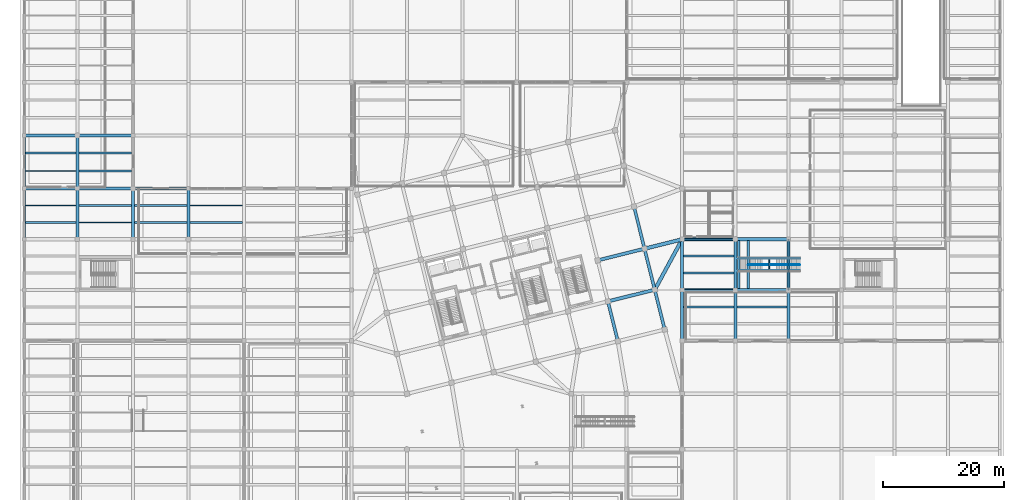
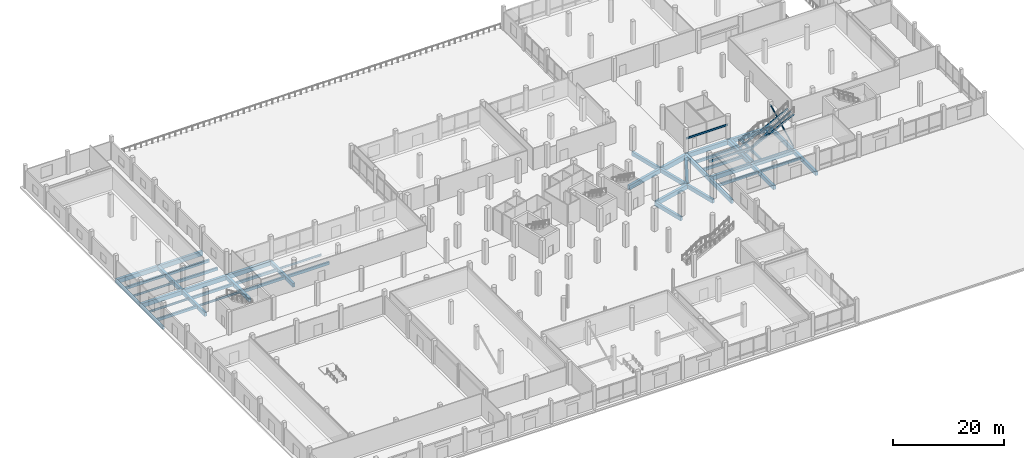
# One storey, part 22 of 73: 50 beams, 4 members.
"""IFC4 building model written with IfcOpenShell, lengths in metres."""

import ifcopenshell
import ifcopenshell.guid

model = None  # the IFC model being written
_history = None  # IfcOwnerHistory: only IFC2X3 demands one
_inside = {}  # id of a spatial element -> (the spatial element, [elements in it])
_under = {}  # id of a project, library or spatial element -> (it, [spatial elements below it])
_declared = {}  # id of a project -> (the project, [libraries it declares])
_typed = {}  # id of a type object -> (the type object, [elements of that type])
_made_of = {}  # id of a material, layer set ... -> (it, [elements and type objects made of it])


def new_model(schema):
    """Start an empty IFC model of exactly this schema.

    Asked for "IFC4X3", IfcOpenShell would pick the latest addendum, in which some entities
    have other attributes; the version numbers below select the first issue.
    IFC2X3 requires an IfcOwnerHistory on every rooted entity: one is made here for all.
    """
    global model, _history
    if schema == "IFC4X3":
        model = ifcopenshell.file(schema_version=(4, 3, 0, 0))
    else:
        model = ifcopenshell.file(schema=schema)
    _inside.clear()
    _under.clear()
    _declared.clear()
    _typed.clear()
    _made_of.clear()
    _history = None
    if model.schema == "IFC2X3":
        org = make("IfcOrganization", Name="unknown")
        user = make(
            "IfcPersonAndOrganization",
            ThePerson=make("IfcPerson", FamilyName="unknown"),
            TheOrganization=org,
        )
        app = make(
            "IfcApplication",
            ApplicationDeveloper=org,
            Version="unknown",
            ApplicationFullName="unknown",
            ApplicationIdentifier="unknown",
        )
        _history = make(
            "IfcOwnerHistory",
            OwningUser=user,
            OwningApplication=app,
            ChangeAction="ADDED",
            CreationDate=0,
        )
    return model


def make(cls, **values):
    """One entity of the class cls with the attributes given. An attribute that is None is left unset."""
    return model.create_entity(
        cls, **{name: value for name, value in values.items() if value is not None}
    )


def rooted(cls, **values):
    """An entity with a GlobalId (a new one), such as an element, a storey or a relation."""
    return make(cls, GlobalId=ifcopenshell.guid.new(), OwnerHistory=_history, **values)


def si_unit(unit_type, name, prefix=None):
    """IfcSIUnit, for example si_unit("LENGTHUNIT", "METRE", prefix="MILLI")."""
    return make("IfcSIUnit", UnitType=unit_type, Prefix=prefix, Name=name)


def assignment(units):
    """IfcUnitAssignment: the units of a project."""
    return None if units is None else make("IfcUnitAssignment", Units=units)


def point(xyz):
    """IfcCartesianPoint."""
    return None if xyz is None else make("IfcCartesianPoint", Coordinates=xyz)


def direction(xyz):
    """IfcDirection."""
    return None if xyz is None else make("IfcDirection", DirectionRatios=xyz)


def frame(location, z_axis=None, x_axis=None):
    """IfcAxis2Placement3D, a coordinate frame: its origin and axes. An axis left out is left unset."""
    return make(
        "IfcAxis2Placement3D",
        Location=point(location),
        Axis=direction(z_axis),
        RefDirection=direction(x_axis),
    )


def frame_2d(location, x_axis=None):
    """IfcAxis2Placement2D, a coordinate frame in the plane: its origin and x axis."""
    return make(
        "IfcAxis2Placement2D", Location=point(location), RefDirection=direction(x_axis)
    )


def origin():
    """The frame at (0, 0, 0) with its axes left unset."""
    return frame((0.0, 0.0, 0.0))


def origin_2d():
    """The frame at (0, 0) in the plane with its x axis left unset."""
    return frame_2d((0.0, 0.0))


def place(relative_to, where):
    """IfcLocalPlacement: puts the frame where relative to a parent placement (None: the world)."""
    return make(
        "IfcLocalPlacement", PlacementRelTo=relative_to, RelativePlacement=where
    )


def context(
    kind, dimensions, precision=None, world=None, true_north=None, identifier=None
):
    """IfcGeometricRepresentationContext, for example the 3D "Model" context."""
    return make(
        "IfcGeometricRepresentationContext",
        ContextIdentifier=identifier,
        ContextType=kind,
        CoordinateSpaceDimension=dimensions,
        Precision=precision,
        WorldCoordinateSystem=world,
        TrueNorth=true_north,
    )


def subcontext(parent, identifier, kind, view, scale=None):
    """IfcGeometricRepresentationSubContext, for example "Body" below "Model"."""
    return make(
        "IfcGeometricRepresentationSubContext",
        ContextIdentifier=identifier,
        ContextType=kind,
        ParentContext=parent,
        TargetScale=scale,
        TargetView=view,
    )


def project(units=None, contexts=None):
    """IfcProject with its units and contexts."""
    return rooted(
        "IfcProject",
        Name="project",
        RepresentationContexts=contexts,
        UnitsInContext=assignment(units),
    )


def spatial(cls, under=None, at=None, **own):
    """A site, building, storey or space (cls), placed at a placement, below another one or the project."""
    s = rooted(cls, ObjectPlacement=at, **own)
    if under is not None:
        _under.setdefault(under.id(), (under, []))[1].append(s)
    return s


def profile(cls, at=None, kind="AREA", **sizes):
    """A parametric profile (cls). Its sizes go by their IFC names, for example OverallWidth=200.0."""
    return make(cls, ProfileType=kind, Position=at, **sizes)


def rectangle(**sizes):
    """IfcRectangleProfileDef."""
    return profile("IfcRectangleProfileDef", **sizes)


def hollow_circle(**sizes):
    """IfcCircleHollowProfileDef."""
    return profile("IfcCircleHollowProfileDef", **sizes)


def i_section(**sizes):
    """IfcIShapeProfileDef."""
    return profile("IfcIShapeProfileDef", **sizes)


def extrude(swept, where, along, depth):
    """IfcExtrudedAreaSolid: the profile swept, set in the frame where, extruded along a direction by depth."""
    return make(
        "IfcExtrudedAreaSolid",
        SweptArea=swept,
        Position=where,
        ExtrudedDirection=direction(along),
        Depth=depth,
    )


def shape(context_of_items, identifier, shape_type, items):
    """IfcShapeRepresentation: the items that make up one representation, for example the "Body"."""
    return make(
        "IfcShapeRepresentation",
        ContextOfItems=context_of_items,
        RepresentationIdentifier=identifier,
        RepresentationType=shape_type,
        Items=items,
    )


def material(Name=None, Category=None):
    """IfcMaterial."""
    return make("IfcMaterial", Name=Name, Category=Category)


def material_profile(
    of_material, cross_section, Name=None, Category=None, Priority=None
):
    """IfcMaterialProfile: a cross section and its material."""
    return make(
        "IfcMaterialProfile",
        Name=Name,
        Material=of_material,
        Profile=cross_section,
        Priority=Priority,
        Category=Category,
    )


def profile_set(profiles, Name=None, composite=None):
    """IfcMaterialProfileSet."""
    return make(
        "IfcMaterialProfileSet",
        Name=Name,
        MaterialProfiles=profiles,
        CompositeProfile=composite,
    )


def made_of(thing, what):
    """Note that an element or type object is made of a material, layer set ...; save() writes the relation."""
    if what is not None:
        _made_of.setdefault(what.id(), (what, []))[1].append(thing)
    return thing


def type_object(cls, material=None, **own):
    """A type object (cls), such as IfcWallType, which elements share."""
    return made_of(rooted(cls, **own), material)


def element(
    cls,
    number,
    at=None,
    inside=None,
    cuts=None,
    type_object=None,
    material=None,
    context=None,
    identifier="Body",
    shape_type=None,
    held_by="IfcProductDefinitionShape",
    body=None,
    shapes=None,
    **own,
):
    """One element of the class cls, such as IfcWall. Its Tag is "e" and its number.

    at: its placement. inside: the storey or other place that contains it. cuts: it is an
    opening in that element (IfcRelVoidsElement). A single representation is given by context,
    identifier, shape_type and body (its items); several are given by shapes. held_by: the class
    of the entity that holds the representations. save() writes the other relations.
    """
    e = rooted(cls, Tag="e%d" % number, ObjectPlacement=at, **own)
    if body is not None:
        shapes = [shape(context, identifier, shape_type, body)]
    if shapes is not None:
        e.Representation = make(held_by, Representations=shapes)
    if inside is not None:
        _inside.setdefault(inside.id(), (inside, []))[1].append(e)
    if cuts is not None:
        rooted(
            "IfcRelVoidsElement", RelatingBuildingElement=cuts, RelatedOpeningElement=e
        )
    if type_object is not None:
        _typed.setdefault(type_object.id(), (type_object, []))[1].append(e)
    return made_of(e, material)


def aggregate(whole, parts):
    """IfcRelAggregates: a whole, such as a stair, and the parts it consists of."""
    return rooted("IfcRelAggregates", RelatingObject=whole, RelatedObjects=parts)


def save(model, path):
    """Write the relations noted so far, then the file.

    IfcRelAggregates (storeys below a building ...), IfcRelContainedInSpatialStructure (elements
    in a storey), IfcRelDefinesByType, IfcRelAssociatesMaterial and IfcRelDeclares: one each for
    every whole, place, type object, material and project.
    """
    for whole, parts in _under.values():
        aggregate(whole, parts)
    for where, things in _inside.values():
        rooted(
            "IfcRelContainedInSpatialStructure",
            RelatedElements=things,
            RelatingStructure=where,
        )
    for kind, things in _typed.values():
        rooted("IfcRelDefinesByType", RelatedObjects=things, RelatingType=kind)
    for what, things in _made_of.values():
        rooted("IfcRelAssociatesMaterial", RelatedObjects=things, RelatingMaterial=what)
    for by, libraries in _declared.values():
        rooted("IfcRelDeclares", RelatingContext=by, RelatedDefinitions=libraries)
    model.write(path)


model = new_model("IFC4")

# Units and contexts
model_context = context("Model", 3, precision=1e-05, world=origin(), true_north=direction((0.0, 1.0)))
body_context = subcontext(model_context, "Body", "Model", "MODEL_VIEW")
ifc_project = project(units=[si_unit("LENGTHUNIT", "METRE"), si_unit("AREAUNIT", "SQUARE_METRE"), si_unit("VOLUMEUNIT", "CUBIC_METRE"), si_unit("PLANEANGLEUNIT", "RADIAN"), si_unit("MASSUNIT", "GRAM", prefix="KILO")], contexts=[model_context])

# Site, building, storey
site_placement = place(None, origin())
site = spatial("IfcSite", under=ifc_project, at=site_placement, CompositionType="ELEMENT")
building_placement = place(site_placement, origin())
building = spatial("IfcBuilding", under=site, at=building_placement, Name="Meriwether Solvik Hall", CompositionType="ELEMENT")
storey_placement = place(building_placement, origin())
storey = spatial("IfcBuildingStorey", under=building, at=storey_placement, Name="L00", CompositionType="ELEMENT", Elevation=0.0)

# Beams
ifc_material_1 = material(Name="Glulam Douglas-Fir 24F-V8 GL28h", Category="wood")
ifc_material_profile_1 = material_profile(ifc_material_1, rectangle(XDim=0.221923828125, YDim=0.340087890625, at=origin_2d()), Name="GLB-222X340")
ifc_profile_set_1 = profile_set([ifc_material_profile_1], Name="Glulam Douglas-Fir 24F-V8 GL28h")
beam_type_1 = type_object("IfcBeamType", Name="BM-LND-GL-222X340", PredefinedType="BEAM", material=ifc_profile_set_1)
beam_1_placement = place(storey_placement, frame((128.6201171875, 61.5, 2.205078125), z_axis=(0.0, 1.0, 0.0), x_axis=(-1.0, 0.0, 0.0)))
element("IfcBeam", 1, at=beam_1_placement, inside=storey, type_object=beam_type_1, Name="Stair ST-LB2 Landing Cross-Bearer", PredefinedType="BEAM", context=body_context, shape_type="SweptSolid", body=[
    extrude(rectangle(XDim=0.221923828125, YDim=0.340087890625, at=origin_2d()), origin(), (0.0, 0.0, 1.0), 2.199951171875),
])
ifc_material_2 = material(Name="Concrete C40/50", Category="concrete")
ifc_material_profile_2 = material_profile(ifc_material_2, rectangle(XDim=0.39990234375, YDim=0.47998046875, at=origin_2d()), Name="RCB-400X480")
ifc_profile_set_2 = profile_set([ifc_material_profile_2], Name="Concrete C40/50")
beam_type_2 = type_object("IfcBeamType", Name="BM-LND-RC-400X480", PredefinedType="BEAM", material=ifc_profile_set_2)
beam_2_placement = place(storey_placement, frame((125.152099609375, 58.614990234375, -0.60009765625), z_axis=(0.0, 1.0, 0.0), x_axis=(-1.0, 0.0, 0.0)))
element("IfcBeam", 2, at=beam_2_placement, inside=storey, type_object=beam_type_2, Name="Stair ST-LB2 Spine Trimmer Beam", PredefinedType="BEAM", context=body_context, shape_type="SweptSolid", body=[
    extrude(rectangle(XDim=0.39990234375, YDim=0.47998046875, at=origin_2d()), origin(), (0.0, 0.0, 1.0), 7.969970703125),
])
ifc_material_3 = material(Name="Concrete C40/50", Category="concrete")
ifc_material_profile_3 = material_profile(ifc_material_3, rectangle(XDim=0.300048828125, YDim=0.449951171875, at=origin_2d()), Name="RCB-300X450")
ifc_profile_set_3 = profile_set([ifc_material_profile_3], Name="Concrete C40/50")
beam_type_3 = type_object("IfcBeamType", Name="BM-RC-300X450", PredefinedType="LINTEL", material=ifc_profile_set_3)
beam_3_placement = place(storey_placement, frame((114.199951171875, 58.39990234375, 2.925048828125), z_axis=(1.0, 0.0, 0.0), x_axis=(0.0, 1.0, 0.0)))
element("IfcBeam", 3, at=beam_3_placement, inside=storey, type_object=beam_type_3, Name="Galleria Portal Lintel G:13-14 (L00)", PredefinedType="LINTEL", context=body_context, shape_type="SweptSolid", body=[
    extrude(rectangle(XDim=0.300048828125, YDim=0.449951171875, at=origin_2d()), origin(), (0.0, 0.0, 1.0), 8.800048828125),
])
ifc_material_4 = material(Name="Concrete C40/50", Category="concrete")
ifc_material_profile_4 = material_profile(ifc_material_4, rectangle(XDim=0.35009765625, YDim=0.60009765625, at=origin_2d()), Name="RCB-350X600")
ifc_profile_set_4 = profile_set([ifc_material_profile_4], Name="Concrete C40/50")
beam_type_4 = type_object("IfcBeamType", Name="BM-RC-350X600", PredefinedType="JOIST", material=ifc_profile_set_4)
for number, where, z_axis, x_axis, name in (
    (4, (5.39501953125, 69.60009765625, -0.659912109375), (1.0, 0.0, 0.0), (0.0, 1.0, 0.0), "Secondary Floor Joist 1/H_J1 (L00)"),
    (5, (5.39501953125, 81.066650390625, -0.659912109375), (1.0, 0.0, 0.0), (0.0, 1.0, 0.0), "Secondary Floor Joist 1/I_J2 (L00)"),
):
    element("IfcBeam", number, at=place(storey_placement, frame(where, z_axis=z_axis, x_axis=x_axis)), inside=storey, type_object=beam_type_4, Name=name, PredefinedType="JOIST", context=body_context, shape_type="SweptSolid", body=[
        extrude(rectangle(XDim=0.35009765625, YDim=0.60009765625, at=origin_2d()), origin(), (0.0, 0.0, 1.0), 8.35986328125),
    ])
for number, where, z_axis, x_axis, name in (
    (6, (14.2451171875, 72.39990234375, -0.659912109375), (1.0, 0.0, 0.0), (0.0, 1.0, 0.0), "Secondary Floor Joist 2/H_J2 (L00)"),
    (7, (14.2451171875, 78.13330078125, -0.659912109375), (1.0, 0.0, 0.0), (0.0, 1.0, 0.0), "Secondary Floor Joist 2/I_J1 (L00)"),
    (8, (14.2451171875, 81.066650390625, -0.659912109375), (1.0, 0.0, 0.0), (0.0, 1.0, 0.0), "Secondary Floor Joist 2/I_J2 (L00)"),
    (9, (23.445068359375, 69.60009765625, -0.659912109375), (1.0, 0.0, 0.0), (0.0, 1.0, 0.0), "Secondary Floor Joist 3/H_J1 (L00)"),
    (10, (23.445068359375, 72.39990234375, -0.659912109375), (1.0, 0.0, 0.0), (0.0, 1.0, 0.0), "Secondary Floor Joist 3/H_J2 (L00)"),
    (11, (32.64501953125, 69.60009765625, -0.659912109375), (1.0, 0.0, 0.0), (0.0, 1.0, 0.0), "Secondary Floor Joist 4/H_J1 (L00)"),
):
    element("IfcBeam", number, at=place(storey_placement, frame(where, z_axis=z_axis, x_axis=x_axis)), inside=storey, type_object=beam_type_4, Name=name, PredefinedType="JOIST", context=body_context, shape_type="SweptSolid", body=[
        extrude(rectangle(XDim=0.35009765625, YDim=0.60009765625, at=origin_2d()), origin(), (0.0, 0.0, 1.0), 8.7099609375),
    ])
for number, where, z_axis, x_axis, name in (
    (12, (114.445068359375, 55.60009765625, -0.659912109375), (1.0, 0.0, 0.0), (0.0, 1.0, 0.0), "Secondary Floor Joist 13/F_J2 (L00)"),
    (13, (114.445068359375, 61.199951171875, -0.659912109375), (1.0, 0.0, 0.0), (0.0, 1.0, 0.0), "Secondary Floor Joist 13/G_J1 (L00)"),
    (14, (114.445068359375, 64.0, -0.659912109375), (1.0, 0.0, 0.0), (0.0, 1.0, 0.0), "Secondary Floor Joist 13/G_J2 (L00)"),
    (15, (123.2451171875, 55.60009765625, -0.659912109375), (1.0, 0.0, 0.0), (0.0, 1.0, 0.0), "Secondary Floor Joist 14/F_J2 (L00)"),
):
    element("IfcBeam", number, at=place(storey_placement, frame(where, z_axis=z_axis, x_axis=x_axis)), inside=storey, type_object=beam_type_4, Name=name, PredefinedType="JOIST", context=body_context, shape_type="SweptSolid", body=[
        extrude(rectangle(XDim=0.35009765625, YDim=0.60009765625, at=origin_2d()), origin(), (0.0, 0.0, 1.0), 8.309814453125),
    ])
ifc_material_5 = material(Name="Concrete C40/50", Category="concrete")
ifc_material_profile_5 = material_profile(ifc_material_5, rectangle(XDim=0.39990234375, YDim=0.64990234375, at=origin_2d()), Name="RCB-400X650")
ifc_profile_set_5 = profile_set([ifc_material_profile_5], Name="Concrete C40/50")
beam_type_5 = type_object("IfcBeamType", Name="BM-RC-400X650", PredefinedType="SPANDREL", material=ifc_profile_set_5)
beam_4_placement = place(storey_placement, frame((5.199951171875, 66.800048828125, -0.68505859375), z_axis=(0.0, 1.0, 0.0), x_axis=(-1.0, 0.0, 0.0)))
element("IfcBeam", 16, at=beam_4_placement, inside=storey, type_object=beam_type_5, Name="Podium Girder 1:H-I (L00)", PredefinedType="SPANDREL", context=body_context, shape_type="SweptSolid", body=[
    extrude(rectangle(XDim=0.39990234375, YDim=0.64990234375, at=origin_2d()), origin(), (0.0, 0.0, 1.0), 8.39990234375),
])
beam_5_placement = place(storey_placement, frame((5.199951171875, 75.199951171875, -0.68505859375), z_axis=(0.0, 1.0, 0.0), x_axis=(-1.0, 0.0, 0.0)))
element("IfcBeam", 17, at=beam_5_placement, inside=storey, type_object=beam_type_5, Name="Podium Girder 1:I-J (L00)", PredefinedType="SPANDREL", context=body_context, shape_type="SweptSolid", body=[
    extrude(rectangle(XDim=0.39990234375, YDim=0.64990234375, at=origin_2d()), origin(), (0.0, 0.0, 1.0), 8.800048828125),
])
ifc_material_6 = material(Name="Concrete C40/50", Category="concrete")
ifc_material_profile_6 = material_profile(ifc_material_6, rectangle(XDim=0.449951171875, YDim=0.699951171875, at=origin_2d()), Name="RCB-450X700")
ifc_profile_set_6 = profile_set([ifc_material_profile_6], Name="Concrete C40/50")
beam_type_6 = type_object("IfcBeamType", Name="BM-RC-450X700", PredefinedType="BEAM", material=ifc_profile_set_6)
beam_6_placement = place(storey_placement, frame((123.550048828125, 58.614990234375, -0.7099609375), z_axis=(0.0, 1.0, 0.0), x_axis=(-1.0, 0.0, 0.0)))
element("IfcBeam", 18, at=beam_6_placement, inside=storey, type_object=beam_type_6, Name="Stair ST-LB2 Bottom Trimmer Beam", PredefinedType="BEAM", context=body_context, shape_type="SweptSolid", body=[
    extrude(rectangle(XDim=0.449951171875, YDim=0.699951171875, at=origin_2d()), origin(), (0.0, 0.0, 1.0), 7.969970703125),
])
ifc_material_7 = material(Name="Concrete C40/50", Category="concrete")
ifc_material_profile_7 = material_profile(ifc_material_7, rectangle(XDim=0.5, YDim=0.85009765625, at=origin_2d()), Name="RCB-500X850")
ifc_profile_set_7 = profile_set([ifc_material_profile_7], Name="Concrete C40/50")
beam_type_7 = type_object("IfcBeamType", Name="BM-RC-500X850", PredefinedType="BEAM", material=ifc_profile_set_7)
beam_7_placement = place(storey_placement, frame((14.0, 66.800048828125, -0.784912109375), z_axis=(0.0, 1.0, 0.0), x_axis=(-1.0, 0.0, 0.0)))
element("IfcBeam", 19, at=beam_7_placement, inside=storey, type_object=beam_type_7, Name="Podium Girder 2:H-I (L00)", PredefinedType="BEAM", context=body_context, shape_type="SweptSolid", body=[
    extrude(rectangle(XDim=0.5, YDim=0.85009765625, at=origin_2d()), origin(), (0.0, 0.0, 1.0), 8.39990234375),
])
beam_8_placement = place(storey_placement, frame((14.0, 75.199951171875, -0.784912109375), z_axis=(0.0, 1.0, 0.0), x_axis=(-1.0, 0.0, 0.0)))
element("IfcBeam", 20, at=beam_8_placement, inside=storey, type_object=beam_type_7, Name="Podium Girder 2:I-J (L00)", PredefinedType="BEAM", context=body_context, shape_type="SweptSolid", body=[
    extrude(rectangle(XDim=0.5, YDim=0.85009765625, at=origin_2d()), origin(), (0.0, 0.0, 1.0), 8.800048828125),
])
for number, where, z_axis, x_axis, name in (
    (21, (23.199951171875, 66.800048828125, -0.784912109375), (0.0, 1.0, 0.0), (-1.0, 0.0, 0.0), "Podium Girder 3:H-I (L00)"),
    (22, (32.39990234375, 66.800048828125, -0.784912109375), (0.0, 1.0, 0.0), (-1.0, 0.0, 0.0), "Podium Girder 4:H-I (L00)"),
    (23, (114.199951171875, 50.0, -0.784912109375), (0.0, 1.0, 0.0), (-1.0, 0.0, 0.0), "Podium Girder 13:F-G (L00)"),
):
    element("IfcBeam", number, at=place(storey_placement, frame(where, z_axis=z_axis, x_axis=x_axis)), inside=storey, type_object=beam_type_7, Name=name, PredefinedType="BEAM", context=body_context, shape_type="SweptSolid", body=[
        extrude(rectangle(XDim=0.5, YDim=0.85009765625, at=origin_2d()), origin(), (0.0, 0.0, 1.0), 8.39990234375),
    ])
beam_9_placement = place(storey_placement, frame((114.199951171875, 58.39990234375, -0.784912109375), z_axis=(0.0, 1.0, 0.0), x_axis=(-1.0, 0.0, 0.0)))
element("IfcBeam", 24, at=beam_9_placement, inside=storey, type_object=beam_type_7, Name="Podium Girder 13:G-H (L00)", PredefinedType="BEAM", context=body_context, shape_type="SweptSolid", body=[
    extrude(rectangle(XDim=0.5, YDim=0.85009765625, at=origin_2d()), origin(), (0.0, 0.0, 1.0), 8.400146484375),
])
beam_10_placement = place(storey_placement, frame((123.0, 50.0, -0.784912109375), z_axis=(0.0, 1.0, 0.0), x_axis=(-1.0, 0.0, 0.0)))
element("IfcBeam", 25, at=beam_10_placement, inside=storey, type_object=beam_type_7, Name="Podium Girder 14:F-G (L00)", PredefinedType="BEAM", context=body_context, shape_type="SweptSolid", body=[
    extrude(rectangle(XDim=0.5, YDim=0.85009765625, at=origin_2d()), origin(), (0.0, 0.0, 1.0), 8.39990234375),
])
beam_11_placement = place(storey_placement, frame((123.0, 58.39990234375, -0.784912109375), z_axis=(0.0, 1.0, 0.0), x_axis=(-1.0, 0.0, 0.0)))
element("IfcBeam", 26, at=beam_11_placement, inside=storey, type_object=beam_type_7, Name="Podium Girder 14:G-H (L00)", PredefinedType="BEAM", context=body_context, shape_type="SweptSolid", body=[
    extrude(rectangle(XDim=0.5, YDim=0.85009765625, at=origin_2d()), origin(), (0.0, 0.0, 1.0), 8.400146484375),
])
beam_12_placement = place(storey_placement, frame((131.800048828125, 50.0, -0.784912109375), z_axis=(0.0, 1.0, 0.0), x_axis=(-1.0, 0.0, 0.0)))
element("IfcBeam", 27, at=beam_12_placement, inside=storey, type_object=beam_type_7, Name="Podium Girder 15:F-G (L00)", PredefinedType="BEAM", context=body_context, shape_type="SweptSolid", body=[
    extrude(rectangle(XDim=0.5, YDim=0.85009765625, at=origin_2d()), origin(), (0.0, 0.0, 1.0), 8.39990234375),
])
beam_13_placement = place(storey_placement, frame((131.800048828125, 58.39990234375, -0.784912109375), z_axis=(0.0, 1.0, 0.0), x_axis=(-1.0, 0.0, 0.0)))
element("IfcBeam", 28, at=beam_13_placement, inside=storey, type_object=beam_type_7, Name="Podium Girder 15:G-H (L00)", PredefinedType="BEAM", context=body_context, shape_type="SweptSolid", body=[
    extrude(rectangle(XDim=0.5, YDim=0.85009765625, at=origin_2d()), origin(), (0.0, 0.0, 1.0), 8.400146484375),
])
for number, where, z_axis, x_axis, name in (
    (29, (103.53076171875, 49.9091796875, -0.784912109375), (-0.2419526798, 0.970288050394, 0.0), (-0.970288050394, -0.2419526798, 0.0), "Tower Girder T6:TA-TB (L00)"),
    (30, (111.29296875, 51.844482421875, -0.784912109375), (-0.24191045034, 0.970298579828, 0.0), (-0.970298579828, -0.24191045034, 0.0), "Tower Girder T7:TA-TB (L00)"),
):
    element("IfcBeam", number, at=place(storey_placement, frame(where, z_axis=z_axis, x_axis=x_axis)), inside=storey, type_object=beam_type_7, Name=name, PredefinedType="BEAM", context=body_context, shape_type="SweptSolid", body=[
        extrude(rectangle(XDim=0.5, YDim=0.85009765625, at=origin_2d()), origin(), (0.0, 0.0, 1.0), 6.800048828125),
    ])
beam_14_placement = place(storey_placement, frame((109.64794921875, 58.442626953125, -0.784912109375), z_axis=(-0.241911879182, 0.970298223594, 0.0), x_axis=(-0.970298223594, -0.241911879182, 0.0)))
element("IfcBeam", 31, at=beam_14_placement, inside=storey, type_object=beam_type_7, Name="Tower Girder T7:TB-TC (L00)", PredefinedType="BEAM", context=body_context, shape_type="SweptSolid", body=[
    extrude(rectangle(XDim=0.5, YDim=0.85009765625, at=origin_2d()), origin(), (0.0, 0.0, 1.0), 7.0),
])
beam_15_placement = place(storey_placement, frame((107.95458984375, 65.234619140625, -0.784912109375), z_axis=(-0.241937193493, 0.970291911955, 0.0), x_axis=(-0.970291911955, -0.241937193493, 0.0)))
element("IfcBeam", 32, at=beam_15_placement, inside=storey, type_object=beam_type_7, Name="Tower Girder T7:TC-TD (L00)", PredefinedType="BEAM", context=body_context, shape_type="SweptSolid", body=[
    extrude(rectangle(XDim=0.5, YDim=0.85009765625, at=origin_2d()), origin(), (0.0, 0.0, 1.0), 7.199951171875),
])
ifc_material_8 = material(Name="Concrete C40/50", Category="concrete")
ifc_material_profile_8 = material_profile(ifc_material_8, rectangle(XDim=0.550048828125, YDim=0.949951171875, at=origin_2d()), Name="RCB-550X950")
ifc_profile_set_8 = profile_set([ifc_material_profile_8], Name="Concrete C40/50")
beam_type_8 = type_object("IfcBeamType", Name="BM-RC-550X950", PredefinedType="BEAM", material=ifc_profile_set_8)
for number, where, z_axis, x_axis, name in (
    (33, (114.199951171875, 58.39990234375, -0.8349609375), (1.0, 0.0, 0.0), (0.0, 1.0, 0.0), "Podium Girder G:13-14 (L00)"),
    (34, (123.0, 58.39990234375, -0.8349609375), (1.0, 0.0, 0.0), (0.0, 1.0, 0.0), "Podium Girder G:14-15 (L00)"),
    (35, (114.199951171875, 66.800048828125, -0.8349609375), (1.0, 0.0, 0.0), (0.0, 1.0, 0.0), "Podium Girder H:13-14 (L00)"),
    (36, (123.0, 66.800048828125, -0.8349609375), (1.0, 0.0, 0.0), (0.0, 1.0, 0.0), "Podium Girder H:14-15 (L00)"),
    (37, (5.199951171875, 75.199951171875, -0.8349609375), (1.0, 0.0, 0.0), (0.0, 1.0, 0.0), "Podium Girder I:1-2 (L00)"),
):
    element("IfcBeam", number, at=place(storey_placement, frame(where, z_axis=z_axis, x_axis=x_axis)), inside=storey, type_object=beam_type_8, Name=name, PredefinedType="BEAM", context=body_context, shape_type="SweptSolid", body=[
        extrude(rectangle(XDim=0.550048828125, YDim=0.949951171875, at=origin_2d()), origin(), (0.0, 0.0, 1.0), 8.800048828125),
    ])
for number, where, z_axis, x_axis, name in (
    (38, (14.0, 75.199951171875, -0.8349609375), (1.0, 0.0, 0.0), (0.0, 1.0, 0.0), "Podium Girder I:2-3 (L00)"),
    (39, (23.199951171875, 75.199951171875, -0.8349609375), (1.0, 0.0, 0.0), (0.0, 1.0, 0.0), "Podium Girder I:3-4 (L00)"),
):
    element("IfcBeam", number, at=place(storey_placement, frame(where, z_axis=z_axis, x_axis=x_axis)), inside=storey, type_object=beam_type_8, Name=name, PredefinedType="BEAM", context=body_context, shape_type="SweptSolid", body=[
        extrude(rectangle(XDim=0.550048828125, YDim=0.949951171875, at=origin_2d()), origin(), (0.0, 0.0, 1.0), 9.199951171875),
    ])
beam_16_placement = place(storey_placement, frame((5.199951171875, 84.0, -0.8349609375), z_axis=(1.0, 0.0, 0.0), x_axis=(0.0, 1.0, 0.0)))
element("IfcBeam", 40, at=beam_16_placement, inside=storey, type_object=beam_type_8, Name="Podium Girder J:1-2 (L00)", PredefinedType="BEAM", context=body_context, shape_type="SweptSolid", body=[
    extrude(rectangle(XDim=0.550048828125, YDim=0.949951171875, at=origin_2d()), origin(), (0.0, 0.0, 1.0), 8.800048828125),
])
beam_17_placement = place(storey_placement, frame((14.0, 84.0, -0.8349609375), z_axis=(1.0, 0.0, 0.0), x_axis=(0.0, 1.0, 0.0)))
element("IfcBeam", 41, at=beam_17_placement, inside=storey, type_object=beam_type_8, Name="Podium Girder J:2-3 (L00)", PredefinedType="BEAM", context=body_context, shape_type="SweptSolid", body=[
    extrude(rectangle(XDim=0.550048828125, YDim=0.949951171875, at=origin_2d()), origin(), (0.0, 0.0, 1.0), 9.199951171875),
])
beam_18_placement = place(storey_placement, frame((101.885498046875, 56.507080078125, -0.8349609375), z_axis=(0.970291312354, 0.241939598187, 0.0), x_axis=(-0.241939598187, 0.970291312354, 0.0)))
element("IfcBeam", 42, at=beam_18_placement, inside=storey, type_object=beam_type_8, Name="Tower Girder TB:T6-T7 (L00)", PredefinedType="BEAM", context=body_context, shape_type="SweptSolid", body=[
    extrude(rectangle(XDim=0.550048828125, YDim=0.949951171875, at=origin_2d()), origin(), (0.0, 0.0, 1.0), 8.000244140625),
])
beam_19_placement = place(storey_placement, frame((100.192138671875, 63.29931640625, -0.8349609375), z_axis=(0.970298475929, 0.241910867076, 0.0), x_axis=(-0.241910867076, 0.970298475929, 0.0)))
element("IfcBeam", 43, at=beam_19_placement, inside=storey, type_object=beam_type_8, Name="Tower Girder TC:T6-T7 (L00)", PredefinedType="BEAM", context=body_context, shape_type="SweptSolid", body=[
    extrude(rectangle(XDim=0.550048828125, YDim=0.949951171875, at=origin_2d()), origin(), (0.0, 0.0, 1.0), 8.0),
])
ifc_material_9 = material(Name="Concrete C40/50", Category="concrete")
ifc_material_profile_9 = material_profile(ifc_material_9, rectangle(XDim=0.60009765625, YDim=1.050048828125, at=origin_2d()), Name="RCB-600X1050")
ifc_profile_set_9 = profile_set([ifc_material_profile_9], Name="Concrete C40/50")
beam_type_9 = type_object("IfcBeamType", Name="BM-RC-600X1050", PredefinedType="BEAM", material=ifc_profile_set_9)
beam_20_placement = place(storey_placement, frame((109.64794921875, 58.442626953125, -0.885009765625), z_axis=(0.478318210879, 0.878186591301, 0.0), x_axis=(-0.878186591301, 0.478318210879, 0.0)))
element("IfcBeam", 44, at=beam_20_placement, inside=storey, type_object=beam_type_9, Name="Diaphragm Collector Girder T7/TB-13/H (L00)", PredefinedType="BEAM", context=body_context, shape_type="SweptSolid", body=[
    extrude(rectangle(XDim=0.60009765625, YDim=1.050048828125, at=origin_2d()), origin(), (0.0, 0.0, 1.0), 9.5166015625),
])
beam_21_placement = place(storey_placement, frame((107.95458984375, 65.234619140625, -0.885009765625), z_axis=(0.969992872522, 0.243133352825, 0.0), x_axis=(-0.243133352825, 0.969992872522, 0.0)))
element("IfcBeam", 45, at=beam_21_placement, inside=storey, type_object=beam_type_9, Name="Diaphragm Collector Girder T7/TC-13/H (L00)", PredefinedType="BEAM", context=body_context, shape_type="SweptSolid", body=[
    extrude(rectangle(XDim=0.60009765625, YDim=1.050048828125, at=origin_2d()), origin(), (0.0, 0.0, 1.0), 6.4384765625),
])
ifc_material_10 = material(Name="Steel A992 Grade 50", Category="steel")
ifc_material_profile_10 = material_profile(ifc_material_10, i_section(OverallWidth=0.180908203125, OverallDepth=0.4169921875, WebThickness=0.010986328125, FlangeThickness=0.018310546875, at=origin_2d()), Name="W16X57")
ifc_profile_set_10 = profile_set([ifc_material_profile_10], Name="Steel A992 Grade 50")
beam_type_10 = type_object("IfcBeamType", Name="BM-STL-W16X57", PredefinedType="LINTEL", material=ifc_profile_set_10)
beam_22_placement = place(storey_placement, frame((114.199951171875, 66.800048828125, 2.94140625), z_axis=(1.0, 0.0, 0.0), x_axis=(0.0, 1.0, 0.0)))
element("IfcBeam", 46, at=beam_22_placement, inside=storey, type_object=beam_type_10, Name="Galleria Portal Lintel H:13-14 (L00)", PredefinedType="LINTEL", context=body_context, shape_type="SweptSolid", body=[
    extrude(i_section(OverallWidth=0.180908203125, OverallDepth=0.4169921875, WebThickness=0.010986328125, FlangeThickness=0.018310546875, at=origin_2d()), origin(), (0.0, 0.0, 1.0), 8.800048828125),
])
ifc_material_11 = material(Name="Steel A992 Grade 50", Category="steel")
ifc_material_profile_11 = material_profile(ifc_material_11, i_section(OverallWidth=0.19091796875, OverallDepth=0.45703125, WebThickness=0.009033203125, FlangeThickness=0.014404296875, at=origin_2d()), Name="W18X50")
ifc_profile_set_11 = profile_set([ifc_material_profile_11], Name="Steel A992 Grade 50")
beam_type_11 = type_object("IfcBeamType", Name="BM-STL-W18X50", PredefinedType="JOIST", material=ifc_profile_set_11)
for number, where, z_axis, x_axis, name in (
    (47, (5.39501953125, 72.39990234375, -0.58837890625), (1.0, 0.0, 0.0), (0.0, 1.0, 0.0), "Secondary Floor Joist 1/H_J2 (L00)"),
    (48, (5.39501953125, 78.13330078125, -0.58837890625), (1.0, 0.0, 0.0), (0.0, 1.0, 0.0), "Secondary Floor Joist 1/I_J1 (L00)"),
):
    element("IfcBeam", number, at=place(storey_placement, frame(where, z_axis=z_axis, x_axis=x_axis)), inside=storey, type_object=beam_type_11, Name=name, PredefinedType="JOIST", context=body_context, shape_type="SweptSolid", body=[
        extrude(i_section(OverallWidth=0.19091796875, OverallDepth=0.45703125, WebThickness=0.009033203125, FlangeThickness=0.014404296875, at=origin_2d()), origin(), (0.0, 0.0, 1.0), 8.35986328125),
    ])
for number, where, z_axis, x_axis, name in (
    (49, (14.2451171875, 69.60009765625, -0.58837890625), (1.0, 0.0, 0.0), (0.0, 1.0, 0.0), "Secondary Floor Joist 2/H_J1 (L00)"),
    (50, (32.64501953125, 72.39990234375, -0.58837890625), (1.0, 0.0, 0.0), (0.0, 1.0, 0.0), "Secondary Floor Joist 4/H_J2 (L00)"),
):
    element("IfcBeam", number, at=place(storey_placement, frame(where, z_axis=z_axis, x_axis=x_axis)), inside=storey, type_object=beam_type_11, Name=name, PredefinedType="JOIST", context=body_context, shape_type="SweptSolid", body=[
        extrude(i_section(OverallWidth=0.19091796875, OverallDepth=0.45703125, WebThickness=0.009033203125, FlangeThickness=0.014404296875, at=origin_2d()), origin(), (0.0, 0.0, 1.0), 8.7099609375),
    ])

# Members
ifc_material_12 = material(Name="Steel A500 Grade C", Category="steel")
ifc_material_profile_12 = material_profile(ifc_material_12, hollow_circle(Radius=0.136474609375, WallThickness=0.0126953125, at=origin_2d()), Name="CHS273X12.7")
ifc_profile_set_12 = profile_set([ifc_material_profile_12], Name="Steel A500 Grade C")
member_type_1 = type_object("IfcMemberType", Name="MEM-BR-CHS273", PredefinedType="BRACE", material=ifc_profile_set_12)
member_1_placement = place(storey_placement, frame((131.800048828125, 58.39990234375, 0.14990234375), z_axis=(0.0, 0.896548507288, 0.442945565594), x_axis=(-1.0, 0.0, 0.0)))
element("IfcMember", 51, at=member_1_placement, inside=storey, type_object=member_type_1, Name="Podium Diagonal Brace L00-PB3", PredefinedType="BRACE", context=body_context, shape_type="SweptSolid", body=[
    extrude(hollow_circle(Radius=0.136474609375, WallThickness=0.0126953125, at=origin_2d()), origin(), (0.0, 0.0, 1.0), 9.369384765625),
])
ifc_material_13 = material(Name="Glulam Douglas-Fir 24F-V8 GL28h", Category="wood")
ifc_material_profile_13 = material_profile(ifc_material_13, rectangle(XDim=0.1298828125, YDim=0.3798828125, at=origin_2d()), Name="GLM-130X380")
ifc_profile_set_13 = profile_set([ifc_material_profile_13], Name="Glulam Douglas-Fir 24F-V8 GL28h")
member_type_2 = type_object("IfcMemberType", Name="MEM-STR-GL130", PredefinedType="STRINGER", material=ifc_profile_set_13)
for number, where, z_axis, x_axis, name in (
    (52, (123.550048828125, 61.570068359375, -0.47998046875), (0.891241815803, 0.0, 0.453528417812), (0.0, 1.0, 0.0), "Stair ST-LB2 Glulam Stringer L"),
    (53, (123.550048828125, 63.6298828125, -0.47998046875), (0.891241815803, 0.0, 0.453528417812), (0.0, 1.0, 0.0), "Stair ST-LB2 Glulam Stringer R"),
):
    element("IfcMember", number, at=place(storey_placement, frame(where, z_axis=z_axis, x_axis=x_axis)), inside=storey, type_object=member_type_2, Name=name, PredefinedType="STRINGER", context=body_context, shape_type="SweptSolid", body=[
        extrude(rectangle(XDim=0.1298828125, YDim=0.3798828125, at=origin_2d()), origin(), (0.0, 0.0, 1.0), 11.377197265625),
    ])
member_2_placement = place(storey_placement, frame((125.152099609375, 62.60009765625, -0.47998046875), z_axis=(0.85584309521, 0.0, 0.517235532792), x_axis=(0.0, 1.0, 0.0)))
element("IfcMember", 54, at=member_2_placement, inside=storey, type_object=member_type_2, Name="Stair ST-LB2 Glulam Stringer C", PredefinedType="STRINGER", context=body_context, shape_type="SweptSolid", body=[
    extrude(rectangle(XDim=0.1298828125, YDim=0.3798828125, at=origin_2d()), origin(), (0.0, 0.0, 1.0), 9.975830078125),
])

save(model, "model.ifc")
